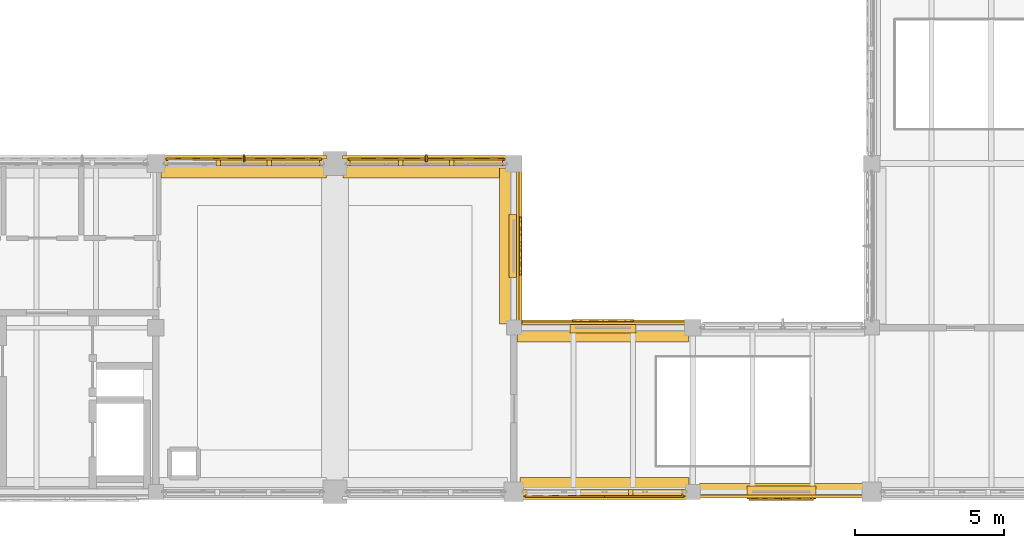
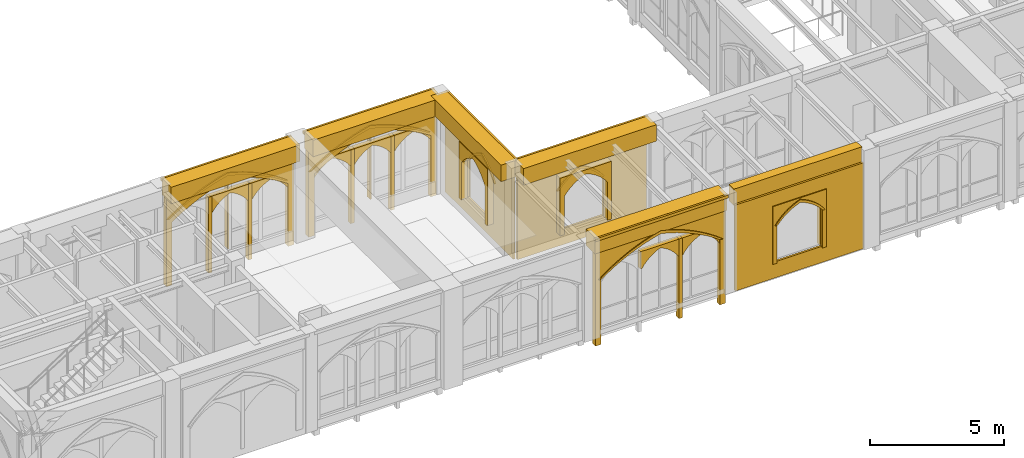
# One storey, part 93 of 127: 38 coverings, 2 shading devices.
"""IFC4 building model written with IfcOpenShell, lengths in metres."""

from ifc_helpers import new_model, si_unit, direction, frame, origin, origin_2d, place, context, subcontext, project, spatial, polyline, rectangle, outline, extrude, material, type_object, element, save


model = new_model("IFC4")

# Units and contexts
model_context = context("Model", 3, precision=1e-05, world=origin(), true_north=direction((0.0, 1.0)))
body_context = subcontext(model_context, "Body", "Model", "MODEL_VIEW")
ifc_project = project(units=[si_unit("LENGTHUNIT", "METRE"), si_unit("AREAUNIT", "SQUARE_METRE"), si_unit("VOLUMEUNIT", "CUBIC_METRE"), si_unit("PLANEANGLEUNIT", "RADIAN"), si_unit("MASSUNIT", "GRAM", prefix="KILO")], contexts=[model_context])

# Site, building, storey
site_placement = place(None, origin())
site = spatial("IfcSite", under=ifc_project, at=site_placement, CompositionType="ELEMENT")
building_placement = place(site_placement, origin())
building = spatial("IfcBuilding", under=site, at=building_placement, Name="Cumevento Cable Car Station", CompositionType="ELEMENT")
storey_placement = place(building_placement, frame((0.0, 0.0, 4.5)))
storey = spatial("IfcBuildingStorey", under=building, at=storey_placement, Name="L02", CompositionType="ELEMENT", Elevation=4.5)

# Shading devices
ifc_material_1 = material(Name="Anodised Bronze Aluminium AW-6063-T6", Category="aluminium")
shading_device_type = type_object("IfcShadingDeviceType", Name="Bronze Lancet Brise-Soleil BS-01", PredefinedType="JALOUSIE", material=ifc_material_1)
shading_device_1_placement = place(storey_placement, frame((36.949951171875, 15.179931640625, 0.41015625), z_axis=(0.0, 0.0, 1.0), x_axis=(1.0, 0.0, 0.0)))
element("IfcShadingDevice", 1, at=shading_device_1_placement, inside=storey, type_object=shading_device_type, Name="Bronze Lancet Solar Fin #15", PredefinedType="JALOUSIE", context=body_context, shape_type="SweptSolid", body=[
    extrude(rectangle(XDim=0.054931640625, YDim=0.239990234375, at=origin_2d()), origin(), (0.0, 0.0, 1.0), 3.39892578125),
])
shading_device_2_placement = place(storey_placement, frame((43.0625, 15.179931640625, 0.52001953125), z_axis=(0.0, 0.0, 1.0), x_axis=(1.0, 0.0, 0.0)))
element("IfcShadingDevice", 2, at=shading_device_2_placement, inside=storey, type_object=shading_device_type, Name="Bronze Lancet Solar Fin #16", PredefinedType="JALOUSIE", context=body_context, shape_type="SweptSolid", body=[
    extrude(rectangle(XDim=0.054931640625, YDim=0.239990234375, at=origin_2d()), origin(), (0.0, 0.0, 1.0), 3.2890625),
])

# Coverings
ifc_material_2 = material(Name="Gnaisse Facoidal Stone Ashlar 85 MPa", Category="masonry")
covering_type = type_object("IfcCoveringType", Name="Gnaisse Ashlar Cladding CV-CL01", PredefinedType="CLADDING", material=ifc_material_2)
covering_1_placement = place(storey_placement, frame((36.949951171875, 14.85009765625, 3.7490234375), z_axis=(0.0, 0.0, 1.0), x_axis=(1.0, 0.0, 0.0)))
element("IfcCovering", 3, at=covering_1_placement, inside=storey, type_object=covering_type, Name="Gothic Stone Spandrel Stringcourse sc:0296", PredefinedType="CLADDING", context=body_context, shape_type="SweptSolid", body=[
    extrude(rectangle(XDim=5.5400390625, YDim=0.659912109375, at=origin_2d()), origin(), (0.0, 0.0, 1.0), 0.7470703125),
])
covering_2_placement = place(storey_placement, frame((36.949951171875, 15.20751953125, 4.365966796875), z_axis=(0.0, 0.0, 1.0), x_axis=(1.0, 0.0, 0.0)))
element("IfcCovering", 4, at=covering_2_placement, inside=storey, type_object=covering_type, Name="Gothic Cornice Dripstone Lip sc:0296", PredefinedType="CLADDING", context=body_context, shape_type="SweptSolid", body=[
    extrude(rectangle(XDim=5.580078125, YDim=0.114990234375, at=origin_2d()), origin(), (0.0, 0.0, 1.0), 0.1298828125),
])
covering_3_placement = place(storey_placement, frame((43.0625, 14.85009765625, 3.7490234375), z_axis=(0.0, 0.0, 1.0), x_axis=(1.0, 0.0, 0.0)))
element("IfcCovering", 5, at=covering_3_placement, inside=storey, type_object=covering_type, Name="Gothic Stone Spandrel Stringcourse sc:0297", PredefinedType="CLADDING", context=body_context, shape_type="SweptSolid", body=[
    extrude(rectangle(XDim=5.56494140625, YDim=0.659912109375, at=origin_2d()), origin(), (0.0, 0.0, 1.0), 0.7470703125),
])
covering_4_placement = place(storey_placement, frame((43.0625, 15.20751953125, 4.365966796875), z_axis=(0.0, 0.0, 1.0), x_axis=(1.0, 0.0, 0.0)))
element("IfcCovering", 6, at=covering_4_placement, inside=storey, type_object=covering_type, Name="Gothic Cornice Dripstone Lip sc:0297", PredefinedType="CLADDING", context=body_context, shape_type="SweptSolid", body=[
    extrude(rectangle(XDim=5.60498046875, YDim=0.114990234375, at=origin_2d()), origin(), (0.0, 0.0, 1.0), 0.1298828125),
])
covering_5_placement = place(storey_placement, frame((45.85009765625, 12.237548828125, 3.7490234375), z_axis=(0.0, 0.0, 1.0), x_axis=(0.0, -1.0, 0.0)))
element("IfcCovering", 7, at=covering_5_placement, inside=storey, type_object=covering_type, Name="Gothic Stone Spandrel Stringcourse sc:0300", PredefinedType="CLADDING", context=body_context, shape_type="SweptSolid", body=[
    extrude(rectangle(XDim=5.215087890625, YDim=0.659912109375, at=origin_2d()), origin(), (0.0, 0.0, 1.0), 0.7470703125),
])
covering_6_placement = place(storey_placement, frame((46.20751953125, 12.237548828125, 4.365966796875), z_axis=(0.0, 0.0, 1.0), x_axis=(0.0, -1.0, 0.0)))
element("IfcCovering", 8, at=covering_6_placement, inside=storey, type_object=covering_type, Name="Gothic Cornice Dripstone Lip sc:0300", PredefinedType="CLADDING", context=body_context, shape_type="SweptSolid", body=[
    extrude(rectangle(XDim=5.2548828125, YDim=0.114990234375, at=origin_2d()), origin(), (0.0, 0.0, 1.0), 0.1298828125),
])
covering_7_placement = place(storey_placement, frame((49.03759765625, 4.14990234375, 3.7490234375), z_axis=(0.0, 0.0, 1.0), x_axis=(-1.0, 0.0, 0.0)))
element("IfcCovering", 9, at=covering_7_placement, inside=storey, type_object=covering_type, Name="Gothic Stone Spandrel Stringcourse sc:0301", PredefinedType="CLADDING", context=body_context, shape_type="SweptSolid", body=[
    extrude(rectangle(XDim=5.6650390625, YDim=0.659912109375, at=origin_2d()), origin(), (0.0, 0.0, 1.0), 0.7470703125),
])
covering_8_placement = place(storey_placement, frame((49.03759765625, 3.79248046875, 4.365966796875), z_axis=(0.0, 0.0, 1.0), x_axis=(-1.0, 0.0, 0.0)))
element("IfcCovering", 10, at=covering_8_placement, inside=storey, type_object=covering_type, Name="Gothic Cornice Dripstone Lip sc:0301", PredefinedType="CLADDING", context=body_context, shape_type="SweptSolid", body=[
    extrude(rectangle(XDim=5.705078125, YDim=0.114990234375, at=origin_2d()), origin(), (0.0, 0.0, 1.0), 0.1298828125),
])
covering_9_placement = place(storey_placement, frame((54.96240234375, 4.090087890625, 3.796875), z_axis=(0.0, 0.0, 1.0), x_axis=(-1.0, 0.0, 0.0)))
element("IfcCovering", 11, at=covering_9_placement, inside=storey, type_object=covering_type, Name="Gothic Stone Spandrel Stringcourse sc:0302", PredefinedType="CLADDING", context=body_context, shape_type="SweptSolid", body=[
    extrude(rectangle(XDim=5.485107421875, YDim=0.3798828125, at=origin_2d()), origin(), (0.0, 0.0, 1.0), 0.7470703125),
])
covering_10_placement = place(storey_placement, frame((48.987548828125, 9.35009765625, 3.7490234375), z_axis=(0.0, 0.0, 1.0), x_axis=(1.0, 0.0, 0.0)))
element("IfcCovering", 12, at=covering_10_placement, inside=storey, type_object=covering_type, Name="Gothic Stone Spandrel Stringcourse sc:0307", PredefinedType="CLADDING", context=body_context, shape_type="SweptSolid", body=[
    extrude(rectangle(XDim=5.715087890625, YDim=0.659912109375, at=origin_2d()), origin(), (0.0, 0.0, 1.0), 0.7470703125),
])
covering_11_placement = place(storey_placement, frame((48.987548828125, 9.70751953125, 4.365966796875), z_axis=(0.0, 0.0, 1.0), x_axis=(1.0, 0.0, 0.0)))
element("IfcCovering", 13, at=covering_11_placement, inside=storey, type_object=covering_type, Name="Gothic Cornice Dripstone Lip sc:0307", PredefinedType="CLADDING", context=body_context, shape_type="SweptSolid", body=[
    extrude(rectangle(XDim=5.7548828125, YDim=0.114990234375, at=origin_2d()), origin(), (0.0, 0.0, 1.0), 0.1298828125),
])
placement_1 = place(storey_placement, frame((34.300048828125, 15.0, -0.27001953125), z_axis=(0.0, 0.0, 1.0), x_axis=(1.0, 0.0, 0.0)))
element("IfcCovering", 14, at=placement_1, inside=storey, type_object=covering_type, Name="Gothic Ogival Pointed-Arch Stone Spandrel cw_ogival:0021", PredefinedType="CLADDING", context=body_context, shape_type="SweptSolid", body=[
    extrude(outline(polyline([(-0.080078125, 0.0), (-0.080078125, 4.158935546875), (5.3798828125, 4.158935546875), (5.3798828125, 0.0), (5.139892578125, 0.0), (5.139892578125, 2.85546875), (4.8544921875, 3.044677734375), (4.560302734375, 3.219970703125), (4.2578125, 3.380859375), (3.9482421875, 3.527099609375), (3.6318359375, 3.658447265625), (3.3095703125, 3.774169921875), (2.98193359375, 3.87451171875), (2.64990234375, 3.958984375), (2.318115234375, 3.87451171875), (1.990478515625, 3.774169921875), (1.668212890625, 3.658447265625), (1.351806640625, 3.527099609375), (1.042236328125, 3.380859375), (0.73974609375, 3.219970703125), (0.445556640625, 3.044677734375), (0.159912109375, 2.85546875), (0.159912109375, 0.0), (-0.080078125, 0.0)])), frame((0.0, 0.139892578125, 0.0), z_axis=(0.0, -1.0, 0.0), x_axis=(1.0, 0.0, 0.0)), (0.0, 0.0, 1.0), 0.219970703125),
])
covering_13_placement = place(storey_placement, frame((34.300048828125, 15.0, 2.58544921875), z_axis=(0.0, 0.0, 1.0), x_axis=(1.0, 0.0, 0.0)))
element("IfcCovering", 15, at=covering_13_placement, inside=storey, type_object=covering_type, Name="Gothic Pointed Archivolt Hood Moulding cw_ogival:0021", PredefinedType="CLADDING", context=body_context, shape_type="SweptSolid", body=[
    extrude(outline(polyline([(0.159912109375, 0.0), (0.445556640625, 0.189208984375), (0.73974609375, 0.364501953125), (1.042236328125, 0.525390625), (1.351806640625, 0.671630859375), (1.668212890625, 0.802978515625), (1.990478515625, 0.918701171875), (2.318115234375, 1.01904296875), (2.64990234375, 1.103515625), (2.98193359375, 1.01904296875), (3.3095703125, 0.918701171875), (3.6318359375, 0.802978515625), (3.9482421875, 0.671630859375), (4.2578125, 0.525390625), (4.560302734375, 0.364501953125), (4.8544921875, 0.189208984375), (5.139892578125, 0.0), (5.25, 0.0), (4.955810546875, 0.212158203125), (4.6513671875, 0.40869140625), (4.3369140625, 0.589599609375), (4.013916015625, 0.754150390625), (3.6826171875, 0.90185546875), (3.344482421875, 1.03271484375), (3.0, 1.145751953125), (2.64990234375, 1.2412109375), (2.300048828125, 1.145751953125), (1.95556640625, 1.03271484375), (1.617431640625, 0.90185546875), (1.2861328125, 0.754150390625), (0.963134765625, 0.589599609375), (0.648681640625, 0.40869140625), (0.34423828125, 0.212158203125), (0.050048828125, 0.0), (0.159912109375, 0.0)])), frame((0.0, 0.181884765625, 0.0), z_axis=(0.0, -1.0, 0.0), x_axis=(1.0, 0.0, 0.0)), (0.0, 0.0, 1.0), 0.06689453125),
])
element("IfcCovering", 16, at=placement_1, inside=storey, type_object=covering_type, Name="Gothic Bifora Stone Colonnette cw_ogival:0021 #1", PredefinedType="CLADDING", context=body_context, shape_type="SweptSolid", body=[
    extrude(outline(polyline([(1.719970703125, -0.02001953125), (1.8701171875, -0.02001953125), (1.8701171875, 3.42919921875), (1.719970703125, 3.42919921875), (1.719970703125, -0.02001953125)])), frame((0.0, 0.1279296875, 0.0), z_axis=(0.0, -1.0, 0.0), x_axis=(1.0, 0.0, 0.0)), (0.0, 0.0, 1.0), 0.205078125),
])
element("IfcCovering", 17, at=placement_1, inside=storey, type_object=covering_type, Name="Gothic Bifora Stone Colonnette cw_ogival:0021 #2", PredefinedType="CLADDING", context=body_context, shape_type="SweptSolid", body=[
    extrude(outline(polyline([(3.429931640625, -0.02001953125), (3.580078125, -0.02001953125), (3.580078125, 3.42919921875), (3.429931640625, 3.42919921875), (3.429931640625, -0.02001953125)])), frame((0.0, 0.1279296875, 0.0), z_axis=(0.0, -1.0, 0.0), x_axis=(1.0, 0.0, 0.0)), (0.0, 0.0, 1.0), 0.205078125),
])
for number, where, z_axis, x_axis, name in (
    (18, (36.139892578125, 15.0, 2.405517578125), (0.0, 0.0, 1.0), (1.0, 0.0, 0.0), "Gothic Ogival Pointed-Arch Stone Spandrel cw_ogival:0021:sub:1"),
    (19, (37.85009765625, 15.0, 2.405517578125), (0.0, 0.0, 1.0), (1.0, 0.0, 0.0), "Gothic Ogival Pointed-Arch Stone Spandrel cw_ogival:0021:sub:2"),
):
    element("IfcCovering", number, at=place(storey_placement, frame(where, z_axis=z_axis, x_axis=x_axis)), inside=storey, type_object=covering_type, Name=name, PredefinedType="CLADDING", context=body_context, shape_type="SweptSolid", body=[
        extrude(outline(polyline([(-0.02001953125, 0.0), (-0.02001953125, 0.75390625), (1.639892578125, 0.75390625), (1.639892578125, 0.0), (1.580078125, 0.0), (1.482177734375, 0.1376953125), (1.370361328125, 0.264404296875), (1.245849609375, 0.37841796875), (1.10986328125, 0.478759765625), (0.964111328125, 0.564208984375), (0.81005859375, 0.6337890625), (0.656005859375, 0.564208984375), (0.51025390625, 0.478759765625), (0.374267578125, 0.37841796875), (0.249755859375, 0.264404296875), (0.137939453125, 0.1376953125), (0.0400390625, 0.0), (-0.02001953125, 0.0)])), frame((0.0, 0.1240234375, 0.0), z_axis=(0.0, -1.0, 0.0), x_axis=(1.0, 0.0, 0.0)), (0.0, 0.0, 1.0), 0.199951171875),
    ])
placement_2 = place(storey_placement, frame((40.39990234375, 15.0, -0.159912109375), z_axis=(0.0, 0.0, 1.0), x_axis=(1.0, 0.0, 0.0)))
element("IfcCovering", 20, at=placement_2, inside=storey, type_object=covering_type, Name="Gothic Ogival Pointed-Arch Stone Spandrel cw_ogival:0023", PredefinedType="CLADDING", context=body_context, shape_type="SweptSolid", body=[
    extrude(outline(polyline([(-0.080078125, 0.0), (-0.080078125, 4.049072265625), (5.405029296875, 4.049072265625), (5.405029296875, 0.0), (5.1650390625, 0.0), (5.1650390625, 2.784912109375), (4.8759765625, 2.967529296875), (4.5791015625, 3.13671875), (4.2744140625, 3.2919921875), (3.963134765625, 3.432861328125), (3.6455078125, 3.559326171875), (3.322265625, 3.6708984375), (2.994384765625, 3.767578125), (2.66259765625, 3.84912109375), (2.33056640625, 3.767578125), (2.002685546875, 3.6708984375), (1.679443359375, 3.559326171875), (1.36181640625, 3.432861328125), (1.050537109375, 3.2919921875), (0.745849609375, 3.13671875), (0.448974609375, 2.967529296875), (0.159912109375, 2.784912109375), (0.159912109375, 0.0), (-0.080078125, 0.0)])), frame((0.0, 0.139892578125, 0.0), z_axis=(0.0, -1.0, 0.0), x_axis=(1.0, 0.0, 0.0)), (0.0, 0.0, 1.0), 0.219970703125),
])
covering_17_placement = place(storey_placement, frame((40.39990234375, 15.0, 2.625), z_axis=(0.0, 0.0, 1.0), x_axis=(1.0, 0.0, 0.0)))
element("IfcCovering", 21, at=covering_17_placement, inside=storey, type_object=covering_type, Name="Gothic Pointed Archivolt Hood Moulding cw_ogival:0023", PredefinedType="CLADDING", context=body_context, shape_type="SweptSolid", body=[
    extrude(outline(polyline([(0.159912109375, 0.0), (0.448974609375, 0.1826171875), (0.745849609375, 0.351806640625), (1.050537109375, 0.507080078125), (1.36181640625, 0.64794921875), (1.679443359375, 0.7744140625), (2.002685546875, 0.885986328125), (2.33056640625, 0.982666015625), (2.66259765625, 1.06396484375), (2.994384765625, 0.982666015625), (3.322265625, 0.885986328125), (3.6455078125, 0.7744140625), (3.963134765625, 0.64794921875), (4.2744140625, 0.507080078125), (4.5791015625, 0.351806640625), (4.8759765625, 0.1826171875), (5.1650390625, 0.0), (5.27490234375, 0.0), (4.977294921875, 0.20556640625), (4.669921875, 0.396240234375), (4.353271484375, 0.571533203125), (4.028564453125, 0.730712890625), (3.696044921875, 0.87353515625), (3.357177734375, 1.0), (3.01220703125, 1.109375), (2.66259765625, 1.201416015625), (2.312744140625, 1.109375), (1.9677734375, 1.0), (1.62890625, 0.87353515625), (1.29638671875, 0.730712890625), (0.9716796875, 0.571533203125), (0.655029296875, 0.396240234375), (0.34765625, 0.20556640625), (0.050048828125, 0.0), (0.159912109375, 0.0)])), frame((0.0, 0.181884765625, 0.0), z_axis=(0.0, -1.0, 0.0), x_axis=(1.0, 0.0, 0.0)), (0.0, 0.0, 1.0), 0.06689453125),
])
element("IfcCovering", 22, at=placement_2, inside=storey, type_object=covering_type, Name="Gothic Bifora Stone Colonnette cw_ogival:0023 #1", PredefinedType="CLADDING", context=body_context, shape_type="SweptSolid", body=[
    extrude(outline(polyline([(1.728271484375, -0.02001953125), (1.87841796875, -0.02001953125), (1.87841796875, 3.33837890625), (1.728271484375, 3.33837890625), (1.728271484375, -0.02001953125)])), frame((0.0, 0.1279296875, 0.0), z_axis=(0.0, -1.0, 0.0), x_axis=(1.0, 0.0, 0.0)), (0.0, 0.0, 1.0), 0.205078125),
])
element("IfcCovering", 23, at=placement_2, inside=storey, type_object=covering_type, Name="Gothic Bifora Stone Colonnette cw_ogival:0023 #2", PredefinedType="CLADDING", context=body_context, shape_type="SweptSolid", body=[
    extrude(outline(polyline([(3.44677734375, -0.02001953125), (3.5966796875, -0.02001953125), (3.5966796875, 3.33837890625), (3.44677734375, 3.33837890625), (3.44677734375, -0.02001953125)])), frame((0.0, 0.1279296875, 0.0), z_axis=(0.0, -1.0, 0.0), x_axis=(1.0, 0.0, 0.0)), (0.0, 0.0, 1.0), 0.205078125),
])
for number, where, z_axis, x_axis, name in (
    (24, (40.530029296875, 15.0, 2.445068359375), (0.0, 0.0, 1.0), (1.0, 0.0, 0.0), "Gothic Ogival Pointed-Arch Stone Spandrel cw_ogival:0023:sub:0"),
    (25, (42.248291015625, 15.0, 2.445068359375), (0.0, 0.0, 1.0), (1.0, 0.0, 0.0), "Gothic Ogival Pointed-Arch Stone Spandrel cw_ogival:0023:sub:1"),
    (26, (43.966552734375, 15.0, 2.445068359375), (0.0, 0.0, 1.0), (1.0, 0.0, 0.0), "Gothic Ogival Pointed-Arch Stone Spandrel cw_ogival:0023:sub:2"),
):
    element("IfcCovering", number, at=place(storey_placement, frame(where, z_axis=z_axis, x_axis=x_axis)), inside=storey, type_object=covering_type, Name=name, PredefinedType="CLADDING", context=body_context, shape_type="SweptSolid", body=[
        extrude(outline(polyline([(-0.02001953125, 0.0), (-0.02001953125, 0.7333984375), (1.6484375, 0.7333984375), (1.6484375, 0.0), (1.58837890625, 0.0), (1.488037109375, 0.1337890625), (1.37451171875, 0.25634765625), (1.2490234375, 0.36669921875), (1.11279296875, 0.463623046875), (0.96728515625, 0.546142578125), (0.814208984375, 0.61328125), (0.6611328125, 0.546142578125), (0.515625, 0.463623046875), (0.37939453125, 0.36669921875), (0.25390625, 0.25634765625), (0.140380859375, 0.1337890625), (0.0400390625, 0.0), (-0.02001953125, 0.0)])), frame((0.0, 0.1240234375, 0.0), z_axis=(0.0, -1.0, 0.0), x_axis=(1.0, 0.0, 0.0)), (0.0, 0.0, 1.0), 0.199951171875),
    ])
placement_3 = place(storey_placement, frame((51.75, 4.0, -0.469970703125), z_axis=(0.0, 0.0, 1.0), x_axis=(-1.0, 0.0, 0.0)))
element("IfcCovering", 27, at=placement_3, inside=storey, type_object=covering_type, Name="Gothic Ogival Pointed-Arch Stone Spandrel cw_ogival:0025", PredefinedType="CLADDING", context=body_context, shape_type="SweptSolid", body=[
    extrude(outline(polyline([(-0.080078125, 0.0), (-0.080078125, 4.35888671875), (5.5048828125, 4.35888671875), (5.5048828125, 0.0), (5.264892578125, 0.0), (5.264892578125, 2.9833984375), (4.974365234375, 3.1845703125), (4.674072265625, 3.37109375), (4.36474609375, 3.54248046875), (4.04736328125, 3.6982421875), (3.72265625, 3.838134765625), (3.391357421875, 3.9619140625), (3.054443359375, 4.06884765625), (2.71240234375, 4.158935546875), (2.37060546875, 4.06884765625), (2.03369140625, 3.9619140625), (1.702392578125, 3.838134765625), (1.377685546875, 3.6982421875), (1.060302734375, 3.54248046875), (0.7509765625, 3.37109375), (0.45068359375, 3.1845703125), (0.159912109375, 2.9833984375), (0.159912109375, 0.0), (-0.080078125, 0.0)])), frame((0.0, 0.139892578125, 0.0), z_axis=(0.0, -1.0, 0.0), x_axis=(1.0, 0.0, 0.0)), (0.0, 0.0, 1.0), 0.219970703125),
])
covering_21_placement = place(storey_placement, frame((51.75, 4.0, 2.513427734375), z_axis=(0.0, 0.0, 1.0), x_axis=(-1.0, 0.0, 0.0)))
element("IfcCovering", 28, at=covering_21_placement, inside=storey, type_object=covering_type, Name="Gothic Pointed Archivolt Hood Moulding cw_ogival:0025", PredefinedType="CLADDING", context=body_context, shape_type="SweptSolid", body=[
    extrude(outline(polyline([(0.159912109375, 0.0), (0.45068359375, 0.201171875), (0.7509765625, 0.3876953125), (1.060302734375, 0.55908203125), (1.377685546875, 0.71484375), (1.702392578125, 0.854736328125), (2.03369140625, 0.978515625), (2.37060546875, 1.08544921875), (2.71240234375, 1.175537109375), (3.054443359375, 1.08544921875), (3.391357421875, 0.978515625), (3.72265625, 0.854736328125), (4.04736328125, 0.71484375), (4.36474609375, 0.55908203125), (4.674072265625, 0.3876953125), (4.974365234375, 0.201171875), (5.264892578125, 0.0), (5.375, 0.0), (5.07568359375, 0.22412109375), (4.76513671875, 0.431884765625), (4.444091796875, 0.623291015625), (4.11328125, 0.79736328125), (3.773681640625, 0.953857421875), (3.426513671875, 1.09228515625), (3.072509765625, 1.212158203125), (2.71240234375, 1.31298828125), (2.3525390625, 1.212158203125), (1.99853515625, 1.09228515625), (1.6513671875, 0.953857421875), (1.311767578125, 0.79736328125), (0.98095703125, 0.623291015625), (0.659912109375, 0.431884765625), (0.349365234375, 0.22412109375), (0.050048828125, 0.0), (0.159912109375, 0.0)])), frame((0.0, 0.181884765625, 0.0), z_axis=(0.0, -1.0, 0.0), x_axis=(1.0, 0.0, 0.0)), (0.0, 0.0, 1.0), 0.06689453125),
])
element("IfcCovering", 29, at=placement_3, inside=storey, type_object=covering_type, Name="Gothic Bifora Stone Colonnette cw_ogival:0025 #1", PredefinedType="CLADDING", context=body_context, shape_type="SweptSolid", body=[
    extrude(outline(polyline([(1.76171875, -0.02001953125), (1.91162109375, -0.02001953125), (1.91162109375, 3.5947265625), (1.76171875, 3.5947265625), (1.76171875, -0.02001953125)])), frame((0.0, 0.1279296875, 0.0), z_axis=(0.0, -1.0, 0.0), x_axis=(1.0, 0.0, 0.0)), (0.0, 0.0, 1.0), 0.205078125),
])
for number, where, z_axis, x_axis, name in (
    (30, (51.6201171875, 4.0, 2.33349609375), (0.0, 0.0, 1.0), (-1.0, 0.0, 0.0), "Gothic Ogival Pointed-Arch Stone Spandrel cw_ogival:0025:sub:0"),
    (31, (49.868408203125, 4.0, 2.33349609375), (0.0, 0.0, 1.0), (-1.0, 0.0, 0.0), "Gothic Ogival Pointed-Arch Stone Spandrel cw_ogival:0025:sub:1"),
):
    element("IfcCovering", number, at=place(storey_placement, frame(where, z_axis=z_axis, x_axis=x_axis)), inside=storey, type_object=covering_type, Name=name, PredefinedType="CLADDING", context=body_context, shape_type="SweptSolid", body=[
        extrude(outline(polyline([(-0.02001953125, 0.0), (-0.02001953125, 0.791259765625), (1.681640625, 0.791259765625), (1.681640625, 0.0), (1.62158203125, 0.0), (1.522705078125, 0.1455078125), (1.40869140625, 0.279296875), (1.281005859375, 0.400146484375), (1.14111328125, 0.506591796875), (0.990234375, 0.597412109375), (0.830810546875, 0.67138671875), (0.67138671875, 0.597412109375), (0.5205078125, 0.506591796875), (0.380615234375, 0.400146484375), (0.2529296875, 0.279296875), (0.138916015625, 0.1455078125), (0.0400390625, 0.0), (-0.02001953125, 0.0)])), frame((0.0, 0.1240234375, 0.0), z_axis=(0.0, -1.0, 0.0), x_axis=(1.0, 0.0, 0.0)), (0.0, 0.0, 1.0), 0.199951171875),
    ])
covering_23_placement = place(storey_placement, frame((46.0, 14.72509765625, 0.0), z_axis=(0.0, 0.0, 1.0), x_axis=(0.0, -1.0, 0.0)))
element("IfcCovering", 32, at=covering_23_placement, inside=storey, type_object=covering_type, Name="Exterior Gnaisse Stone Wall Ashlar #176", PredefinedType="CLADDING", context=body_context, shape_type="SweptSolid", body=[
    extrude(outline(polyline([(-0.0400390625, -0.02001953125), (5.014892578125, -0.02001953125), (5.014892578125, 3.8291015625), (-0.0400390625, 3.8291015625), (-0.0400390625, -0.02001953125)]), holes=[polyline([(1.62255859375, 0.760009765625), (3.3525390625, 0.760009765625), (3.3525390625, 3.0400390625), (1.62255859375, 3.0400390625), (1.62255859375, 0.760009765625)])]), frame((0.0, 0.177490234375, 0.0), z_axis=(0.0, -1.0, 0.0), x_axis=(1.0, 0.0, 0.0)), (0.0, 0.0, 1.0), 0.0849609375),
])
covering_24_placement = place(storey_placement, frame((46.0, 13.25244140625, 0.699951171875), z_axis=(0.0, 0.0, 1.0), x_axis=(0.0, -1.0, 0.0)))
element("IfcCovering", 33, at=covering_24_placement, inside=storey, type_object=covering_type, Name="Gothic Ogival Pointed-Arch Stone Spandrel op_ogival:0176:1", PredefinedType="CLADDING", context=body_context, shape_type="SweptSolid", body=[
    extrude(outline(polyline([(-0.0400390625, 0.0), (-0.0400390625, 2.570068359375), (2.070068359375, 2.570068359375), (2.070068359375, 0.0), (1.889892578125, 0.0), (1.889892578125, 1.7060546875), (1.79296875, 1.834716796875), (1.685302734375, 1.954345703125), (1.567626953125, 2.064453125), (1.440673828125, 2.16357421875), (1.305419921875, 2.25146484375), (1.163330078125, 2.3271484375), (1.014892578125, 2.39013671875), (0.86669921875, 2.3271484375), (0.724609375, 2.25146484375), (0.58935546875, 2.16357421875), (0.46240234375, 2.064453125), (0.3447265625, 1.954345703125), (0.237060546875, 1.834716796875), (0.139892578125, 1.7060546875), (0.139892578125, 0.0), (-0.0400390625, 0.0)])), frame((0.0, 0.215576171875, 0.0), z_axis=(0.0, -1.0, 0.0), x_axis=(1.0, 0.0, 0.0)), (0.0, 0.0, 1.0), 0.385009765625),
])
covering_25_placement = place(storey_placement, frame((46.0, 13.25244140625, 2.406005859375), z_axis=(0.0, 0.0, 1.0), x_axis=(0.0, -1.0, 0.0)))
element("IfcCovering", 34, at=covering_25_placement, inside=storey, type_object=covering_type, Name="Gothic Pointed Archivolt Hood Moulding op_ogival:0176:1", PredefinedType="CLADDING", context=body_context, shape_type="SweptSolid", body=[
    extrude(outline(polyline([(0.139892578125, 0.0), (0.237060546875, 0.128662109375), (0.3447265625, 0.248291015625), (0.46240234375, 0.3583984375), (0.58935546875, 0.45751953125), (0.724609375, 0.54541015625), (0.86669921875, 0.62109375), (1.014892578125, 0.68408203125), (1.163330078125, 0.62109375), (1.305419921875, 0.54541015625), (1.440673828125, 0.45751953125), (1.567626953125, 0.3583984375), (1.685302734375, 0.248291015625), (1.79296875, 0.128662109375), (1.889892578125, 0.0), (1.989013671875, 0.0), (1.884521484375, 0.151123046875), (1.7666015625, 0.292236328125), (1.63623046875, 0.421875), (1.494873046875, 0.5390625), (1.34326171875, 0.64306640625), (1.182861328125, 0.73291015625), (1.014892578125, 0.807861328125), (0.84716796875, 0.73291015625), (0.686767578125, 0.64306640625), (0.53515625, 0.5390625), (0.393798828125, 0.421875), (0.263427734375, 0.292236328125), (0.1455078125, 0.151123046875), (0.041015625, 0.0), (0.139892578125, 0.0)])), frame((0.0, 0.257568359375, 0.0), z_axis=(0.0, -1.0, 0.0), x_axis=(1.0, 0.0, 0.0)), (0.0, 0.0, 1.0), 0.06689453125),
])
covering_26_placement = place(storey_placement, frame((46.25, 9.5, 0.0), z_axis=(0.0, 0.0, 1.0), x_axis=(1.0, 0.0, 0.0)))
element("IfcCovering", 35, at=covering_26_placement, inside=storey, type_object=covering_type, Name="Exterior Gnaisse Stone Wall Ashlar #177", PredefinedType="CLADDING", context=body_context, shape_type="SweptSolid", body=[
    extrude(outline(polyline([(-0.0400390625, -0.02001953125), (5.514892578125, -0.02001953125), (5.514892578125, 3.8291015625), (-0.0400390625, 3.8291015625), (-0.0400390625, -0.02001953125)]), holes=[polyline([(1.822509765625, 0.7099609375), (3.652587890625, 0.7099609375), (3.652587890625, 3.0400390625), (1.822509765625, 3.0400390625), (1.822509765625, 0.7099609375)])]), frame((0.0, 0.1923828125, 0.0), z_axis=(0.0, -1.0, 0.0), x_axis=(1.0, 0.0, 0.0)), (0.0, 0.0, 1.0), 0.0849609375),
])
covering_27_placement = place(storey_placement, frame((47.922607421875, 9.5, 0.64990234375), z_axis=(0.0, 0.0, 1.0), x_axis=(1.0, 0.0, 0.0)))
element("IfcCovering", 36, at=covering_27_placement, inside=storey, type_object=covering_type, Name="Gothic Ogival Pointed-Arch Stone Spandrel op_ogival:0177:1", PredefinedType="CLADDING", context=body_context, shape_type="SweptSolid", body=[
    extrude(outline(polyline([(-0.0400390625, 0.0), (-0.0400390625, 2.6201171875), (2.169921875, 2.6201171875), (2.169921875, 0.0), (1.989990234375, 0.0), (1.989990234375, 1.741943359375), (1.8857421875, 1.87353515625), (1.7705078125, 1.99609375), (1.6455078125, 2.108154296875), (1.511474609375, 2.20947265625), (1.369384765625, 2.298828125), (1.22021484375, 2.375732421875), (1.06494140625, 2.43994140625), (0.90966796875, 2.375732421875), (0.760498046875, 2.298828125), (0.618408203125, 2.20947265625), (0.484375, 2.108154296875), (0.359375, 1.99609375), (0.244140625, 1.87353515625), (0.139892578125, 1.741943359375), (0.139892578125, 0.0), (-0.0400390625, 0.0)])), frame((0.0, 0.23046875, 0.0), z_axis=(0.0, -1.0, 0.0), x_axis=(1.0, 0.0, 0.0)), (0.0, 0.0, 1.0), 0.4150390625),
])
covering_28_placement = place(storey_placement, frame((47.922607421875, 9.5, 2.39208984375), z_axis=(0.0, 0.0, 1.0), x_axis=(1.0, 0.0, 0.0)))
element("IfcCovering", 37, at=covering_28_placement, inside=storey, type_object=covering_type, Name="Gothic Pointed Archivolt Hood Moulding op_ogival:0177:1", PredefinedType="CLADDING", context=body_context, shape_type="SweptSolid", body=[
    extrude(outline(polyline([(0.139892578125, 0.0), (0.244140625, 0.131591796875), (0.359375, 0.254150390625), (0.484375, 0.3662109375), (0.618408203125, 0.467529296875), (0.760498046875, 0.556884765625), (0.90966796875, 0.6337890625), (1.06494140625, 0.697998046875), (1.22021484375, 0.6337890625), (1.369384765625, 0.556884765625), (1.511474609375, 0.467529296875), (1.6455078125, 0.3662109375), (1.7705078125, 0.254150390625), (1.8857421875, 0.131591796875), (1.989990234375, 0.0), (2.089111328125, 0.0), (1.97705078125, 0.154296875), (1.851806640625, 0.2978515625), (1.71435546875, 0.429931640625), (1.565673828125, 0.549072265625), (1.406982421875, 0.65478515625), (1.23974609375, 0.745849609375), (1.06494140625, 0.82177734375), (0.89013671875, 0.745849609375), (0.722900390625, 0.65478515625), (0.564208984375, 0.549072265625), (0.41552734375, 0.429931640625), (0.278076171875, 0.2978515625), (0.15283203125, 0.154296875), (0.041015625, 0.0), (0.139892578125, 0.0)])), frame((0.0, 0.2724609375, 0.0), z_axis=(0.0, -1.0, 0.0), x_axis=(1.0, 0.0, 0.0)), (0.0, 0.0, 1.0), 0.06689453125),
])
covering_29_placement = place(storey_placement, frame((57.675048828125, 4.0, 0.0), z_axis=(0.0, 0.0, 1.0), x_axis=(-1.0, 0.0, 0.0)))
element("IfcCovering", 38, at=covering_29_placement, inside=storey, type_object=covering_type, Name="Exterior Gnaisse Stone Wall Ashlar #178", PredefinedType="CLADDING", context=body_context, shape_type="SweptSolid", body=[
    extrude(outline(polyline([(-0.0400390625, -0.02001953125), (5.465087890625, -0.02001953125), (5.465087890625, 3.876953125), (-0.0400390625, 3.876953125), (-0.0400390625, -0.02001953125)]), holes=[polyline([(1.74755859375, 0.7099609375), (3.677490234375, 0.7099609375), (3.677490234375, 3.0400390625), (1.74755859375, 3.0400390625), (1.74755859375, 0.7099609375)])]), frame((0.0, 0.199951171875, 0.0), z_axis=(0.0, -1.0, 0.0), x_axis=(1.0, 0.0, 0.0)), (0.0, 0.0, 1.0), 0.0849609375),
])
covering_30_placement = place(storey_placement, frame((56.077392578125, 4.0, 0.64990234375), z_axis=(0.0, 0.0, 1.0), x_axis=(-1.0, 0.0, 0.0)))
element("IfcCovering", 39, at=covering_30_placement, inside=storey, type_object=covering_type, Name="Gothic Ogival Pointed-Arch Stone Spandrel op_ogival:0178:1", PredefinedType="CLADDING", context=body_context, shape_type="SweptSolid", body=[
    extrude(outline(polyline([(-0.0400390625, 0.0), (-0.0400390625, 2.6201171875), (2.27001953125, 2.6201171875), (2.27001953125, 0.0), (2.090087890625, 0.0), (2.090087890625, 1.741943359375), (1.9775390625, 1.874267578125), (1.854736328125, 1.996826171875), (1.72216796875, 2.109130859375), (1.5810546875, 2.210205078125), (1.43212890625, 2.29931640625), (1.2763671875, 2.376220703125), (1.114990234375, 2.43994140625), (0.95361328125, 2.376220703125), (0.7978515625, 2.29931640625), (0.64892578125, 2.210205078125), (0.5078125, 2.109130859375), (0.375244140625, 1.996826171875), (0.25244140625, 1.874267578125), (0.139892578125, 1.741943359375), (0.139892578125, 0.0), (-0.0400390625, 0.0)])), frame((0.0, 0.238037109375, 0.0), z_axis=(0.0, -1.0, 0.0), x_axis=(1.0, 0.0, 0.0)), (0.0, 0.0, 1.0), 0.429931640625),
])
covering_31_placement = place(storey_placement, frame((56.077392578125, 4.0, 2.39208984375), z_axis=(0.0, 0.0, 1.0), x_axis=(-1.0, 0.0, 0.0)))
element("IfcCovering", 40, at=covering_31_placement, inside=storey, type_object=covering_type, Name="Gothic Pointed Archivolt Hood Moulding op_ogival:0178:1", PredefinedType="CLADDING", context=body_context, shape_type="SweptSolid", body=[
    extrude(outline(polyline([(0.139892578125, 0.0), (0.25244140625, 0.13232421875), (0.375244140625, 0.2548828125), (0.5078125, 0.3671875), (0.64892578125, 0.46826171875), (0.7978515625, 0.557373046875), (0.95361328125, 0.63427734375), (1.114990234375, 0.697998046875), (1.2763671875, 0.63427734375), (1.43212890625, 0.557373046875), (1.5810546875, 0.46826171875), (1.72216796875, 0.3671875), (1.854736328125, 0.2548828125), (1.9775390625, 0.13232421875), (2.090087890625, 0.0), (2.18896484375, 0.0), (2.06884765625, 0.15478515625), (1.935791015625, 0.298828125), (1.790771484375, 0.430908203125), (1.635009765625, 0.550048828125), (1.4697265625, 0.655517578125), (1.2958984375, 0.74609375), (1.114990234375, 0.82177734375), (0.93408203125, 0.74609375), (0.76025390625, 0.655517578125), (0.594970703125, 0.550048828125), (0.439208984375, 0.430908203125), (0.294189453125, 0.298828125), (0.1611328125, 0.15478515625), (0.041015625, 0.0), (0.139892578125, 0.0)])), frame((0.0, 0.280029296875, 0.0), z_axis=(0.0, -1.0, 0.0), x_axis=(1.0, 0.0, 0.0)), (0.0, 0.0, 1.0), 0.06689453125),
])

save(model, "model.ifc")
